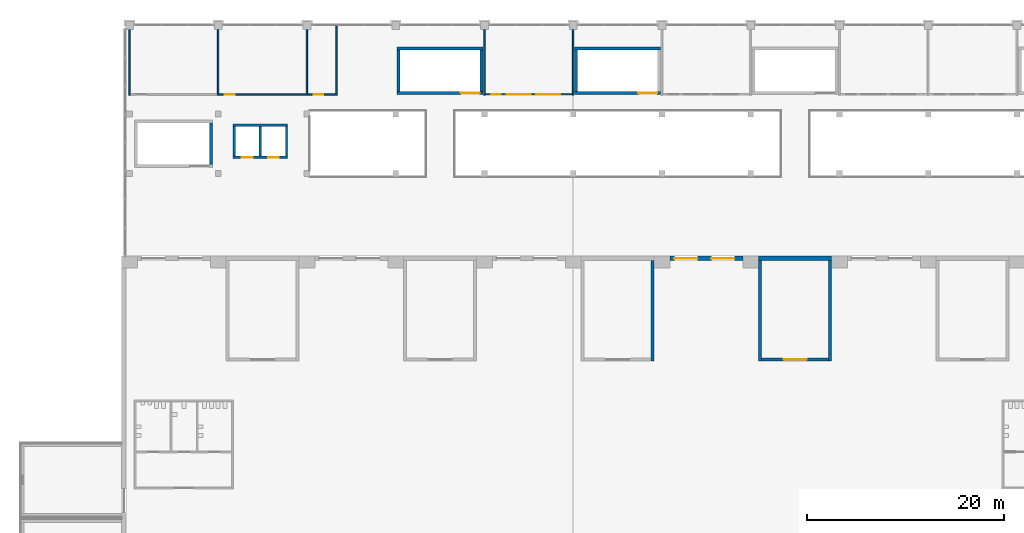
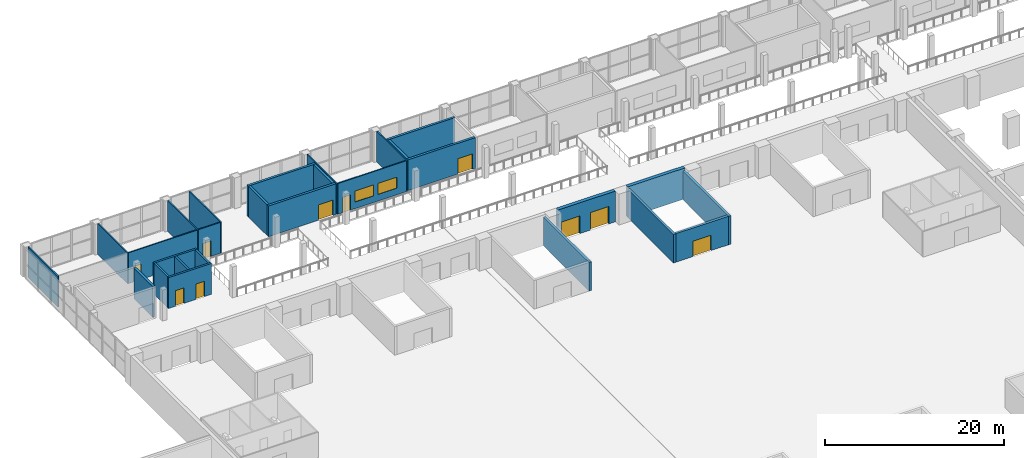
# One storey, part 18 of 39: 28 walls, 10 doors, 2 windows, 12 openings.
"""IFC4 building model written with IfcOpenShell, lengths in metres."""

from ifc_helpers import new_model, si_unit, direction, frame, frame_2d, origin, place, context, subcontext, project, spatial, rectangle, extrude, material, layer, layer_set, type_object, element, fill, save


model = new_model("IFC4")

# Units and contexts
model_context = context("Model", 3, precision=1e-05, world=origin(), true_north=direction((0.0, 1.0)))
body_context = subcontext(model_context, "Body", "Model", "MODEL_VIEW")
ifc_project = project(units=[si_unit("LENGTHUNIT", "METRE"), si_unit("AREAUNIT", "SQUARE_METRE"), si_unit("VOLUMEUNIT", "CUBIC_METRE"), si_unit("PLANEANGLEUNIT", "RADIAN"), si_unit("MASSUNIT", "GRAM", prefix="KILO")], contexts=[model_context])

# Site, building, storey
site_placement = place(None, origin())
site = spatial("IfcSite", under=ifc_project, at=site_placement, CompositionType="ELEMENT")
building_placement = place(site_placement, origin())
building = spatial("IfcBuilding", under=site, at=building_placement, Name="Aravalli Gate Trade Fair Centre", CompositionType="ELEMENT")
storey_placement = place(building_placement, frame((0.0, 0.0, 15.0)))
storey = spatial("IfcBuildingStorey", under=building, at=storey_placement, Name="L03", CompositionType="ELEMENT", Elevation=15.0)

# Wall, openings, doors
ifc_material_1 = material(Name="Concrete M40", Category="concrete")
ifc_layer_1 = layer(ifc_material_1, 0.25, Name="Structural wall")
ifc_material_2 = material(Name="Ventilated air cavity")
ifc_layer_2 = layer(ifc_material_2, 0.10009765625, ventilated=True, Name="Ventilated cavity")
ifc_material_3 = material(Name="Terracotta rainscreen", Category="masonry")
ifc_layer_3 = layer(ifc_material_3, 0.10009765625, Name="Rainscreen cladding")
ifc_layer_set_1 = layer_set([ifc_layer_1, ifc_layer_2, ifc_layer_3], Name="Hall external wall 450")
wall_type_1 = type_object("IfcWallType", Name="Hall external wall 450", PredefinedType="SOLIDWALL", material=ifc_layer_set_1)
wall_1_placement = place(storey_placement, frame((60.800048828125, 109.375, 0.0), z_axis=(0.0, 0.0, 1.0), x_axis=(1.0, 0.0, 0.0)))
wall_1 = element("IfcWall", 1, at=wall_1_placement, inside=storey, type_object=wall_type_1, Name="Hall north wall bay 7 L03", PredefinedType="SOLIDWALL", context=body_context, shape_type="SweptSolid", body=[
    extrude(rectangle(XDim=7.39990234375, YDim=0.449951171875, at=frame_2d((3.699951171875, 0.0))), origin(), (0.0, 0.0, 1.0), 4.199951171875),
])
opening_1_placement = place(wall_1_placement, frame((0.449951171875, 0.0, 0.0)))
opening_1 = element("IfcOpeningElement", 2, at=opening_1_placement, cuts=wall_1, Name="Opening H-L03-11", PredefinedType="OPENING", context=body_context, shape_type="SweptSolid", body=[
    extrude(rectangle(XDim=2.35009765625, YDim=2.39990234375, at=frame_2d((1.175048828125, 1.199951171875))), frame((0.0, 0.23486328125, 0.0), z_axis=(0.0, -1.0, 0.0), x_axis=(1.0, 0.0, 0.0)), (0.0, 0.0, 1.0), 0.469970703125),
])
opening_2_placement = place(wall_1_placement, frame((4.199951171875, 0.0, 0.0)))
opening_2 = element("IfcOpeningElement", 3, at=opening_2_placement, cuts=wall_1, Name="Opening H-L03-12", PredefinedType="OPENING", context=body_context, shape_type="SweptSolid", body=[
    extrude(rectangle(XDim=2.35009765625, YDim=2.39990234375, at=frame_2d((1.175048828125, 1.199951171875))), frame((0.0, 0.23486328125, 0.0), z_axis=(0.0, -1.0, 0.0), x_axis=(1.0, 0.0, 0.0)), (0.0, 0.0, 1.0), 0.469970703125),
])
ifc_material_4 = material(Name="Steel", Category="steel")
door_type_1 = type_object("IfcDoorType", Name="Hall entrance double door FD120", OperationType="DOUBLE_DOOR_SINGLE_SWING", PredefinedType="DOOR", material=ifc_material_4)
door_1_placement = place(opening_1_placement, origin())
door_1 = element("IfcDoor", 4, at=door_1_placement, inside=storey, type_object=door_type_1, Name="Hall entrance door bay 7 L03 1", OperationType="DOUBLE_DOOR_SINGLE_SWING", OverallHeight=2.39990234375, OverallWidth=2.35009765625, PredefinedType="DOOR", context=body_context, shape_type="SweptSolid", body=[
    extrude(rectangle(XDim=2.35009765625, YDim=2.39990234375, at=frame_2d((1.175048828125, 1.199951171875))), frame((0.0, 0.02490234375, 0.0), z_axis=(0.0, -1.0, 0.0), x_axis=(1.0, 0.0, 0.0)), (0.0, 0.0, 1.0), 0.050048828125),
])
fill(opening_1, door_1)
door_2_placement = place(opening_2_placement, origin())
door_2 = element("IfcDoor", 5, at=door_2_placement, inside=storey, type_object=door_type_1, Name="Hall entrance door bay 7 L03 2", OperationType="DOUBLE_DOOR_SINGLE_SWING", OverallHeight=2.39990234375, OverallWidth=2.35009765625, PredefinedType="DOOR", context=body_context, shape_type="SweptSolid", body=[
    extrude(rectangle(XDim=2.35009765625, YDim=2.39990234375, at=frame_2d((1.175048828125, 1.199951171875))), frame((0.0, 0.02490234375, 0.0), z_axis=(0.0, -1.0, 0.0), x_axis=(1.0, 0.0, 0.0)), (0.0, 0.0, 1.0), 0.050048828125),
])
fill(opening_2, door_2)

# Walls
wall_2_placement = place(storey_placement, frame((69.800048828125, 109.375, 0.0), z_axis=(0.0, 0.0, 1.0), x_axis=(1.0, 0.0, 0.0)))
element("IfcWall", 6, at=wall_2_placement, inside=storey, type_object=wall_type_1, Name="Hall north wall bay 8 L03", PredefinedType="SOLIDWALL", context=body_context, shape_type="SweptSolid", body=[
    extrude(rectangle(XDim=7.39990234375, YDim=0.449951171875, at=frame_2d((3.699951171875, 0.0))), origin(), (0.0, 0.0, 1.0), 4.199951171875),
])
ifc_material_5 = material(Name="Gypsum board")
ifc_layer_4 = layer(ifc_material_5, 0.02490234375, Name="Gypsum board lining")
ifc_material_6 = material(Name="Galvanised stud framing")
ifc_layer_5 = layer(ifc_material_6, 0.10009765625, Name="Stud framing")
ifc_layer_6 = layer(ifc_material_5, 0.02490234375, Name="Gypsum board lining")
ifc_layer_set_2 = layer_set([ifc_layer_4, ifc_layer_5, ifc_layer_6], Name="Partition wall 150")
wall_type_2 = type_object("IfcWallType", Name="Partition wall 150", PredefinedType="PARTITIONING", material=ifc_layer_set_2)
for number, where, z_axis, x_axis, name in (
    (7, (6.0, 125.925048828125, 0.0), (0.0, 0.0, 1.0), (0.0, 1.0, 0.0), "Partition 600 L03"),
    (8, (15.0, 125.925048828125, 0.0), (0.0, 0.0, 1.0), (0.0, 1.0, 0.0), "Partition 1500 L03"),
):
    element("IfcWall", number, at=place(storey_placement, frame(where, z_axis=z_axis, x_axis=x_axis)), inside=storey, type_object=wall_type_2, Name=name, PredefinedType="PARTITIONING", context=body_context, shape_type="SweptSolid", body=[
        extrude(rectangle(XDim=6.675048828125, YDim=0.14990234375, at=frame_2d((3.33740234375, 0.0))), origin(), (0.0, 0.0, 1.0), 4.199951171875),
    ])

# Wall, opening, door
wall_3_placement = place(storey_placement, frame((15.074951171875, 126.0, 0.0), z_axis=(0.0, 0.0, 1.0), x_axis=(1.0, 0.0, 0.0)))
wall_3 = element("IfcWall", 9, at=wall_3_placement, inside=storey, type_object=wall_type_2, Name="Partition Ladies WC south L03", PredefinedType="PARTITIONING", context=body_context, shape_type="SweptSolid", body=[
    extrude(rectangle(XDim=8.85009765625, YDim=0.14990234375, at=frame_2d((4.425048828125, 0.0))), origin(), (0.0, 0.0, 1.0), 4.199951171875),
])
opening_3_placement = place(wall_3_placement, frame((0.60009765625, 0.0, 0.0)))
opening_3 = element("IfcOpeningElement", 10, at=opening_3_placement, cuts=wall_3, Name="Opening C-L03-13", PredefinedType="OPENING", context=body_context, shape_type="SweptSolid", body=[
    extrude(rectangle(XDim=1.0, YDim=2.10009765625, at=frame_2d((0.5, 1.050048828125))), frame((0.0, 0.0849609375, 0.0), z_axis=(0.0, -1.0, 0.0), x_axis=(1.0, 0.0, 0.0)), (0.0, 0.0, 1.0), 0.169921875),
])
ifc_material_7 = material(Name="Steel, fire rated", Category="steel")
door_type_2 = type_object("IfcDoorType", Name="Room door 1000 x 2100", OperationType="SINGLE_SWING_RIGHT", PredefinedType="NOTDEFINED", material=ifc_material_7)
door_3_placement = place(opening_3_placement, frame((1.0, 0.0, 0.0), z_axis=(0.0, 0.0, 1.0), x_axis=(-1.0, 0.0, 0.0)))
door_3 = element("IfcDoor", 11, at=door_3_placement, inside=storey, type_object=door_type_2, Name="Door Ladies WC L03", OperationType="SINGLE_SWING_RIGHT", OverallHeight=2.10009765625, OverallWidth=1.0, PredefinedType="NOTDEFINED", context=body_context, shape_type="SweptSolid", body=[
    extrude(rectangle(XDim=1.0, YDim=2.10009765625, at=frame_2d((0.5, 1.050048828125))), frame((0.0, 0.02490234375, 0.0), z_axis=(0.0, -1.0, 0.0), x_axis=(1.0, 0.0, 0.0)), (0.0, 0.0, 1.0), 0.050048828125),
])
fill(opening_3, door_3)

# Wall
wall_4_placement = place(storey_placement, frame((24.0, 125.925048828125, 0.0), z_axis=(0.0, 0.0, 1.0), x_axis=(0.0, 1.0, 0.0)))
element("IfcWall", 12, at=wall_4_placement, inside=storey, type_object=wall_type_2, Name="Partition 2400 L03", PredefinedType="PARTITIONING", context=body_context, shape_type="SweptSolid", body=[
    extrude(rectangle(XDim=6.675048828125, YDim=0.14990234375, at=frame_2d((3.33740234375, 0.0))), origin(), (0.0, 0.0, 1.0), 4.199951171875),
])

# Wall, opening, door
wall_5_placement = place(storey_placement, frame((24.074951171875, 126.0, 0.0), z_axis=(0.0, 0.0, 1.0), x_axis=(1.0, 0.0, 0.0)))
wall_5 = element("IfcWall", 13, at=wall_5_placement, inside=storey, type_object=wall_type_2, Name="Partition Accessible WC south L03", PredefinedType="PARTITIONING", context=body_context, shape_type="SweptSolid", body=[
    extrude(rectangle(XDim=2.85009765625, YDim=0.14990234375, at=frame_2d((1.425048828125, 0.0))), origin(), (0.0, 0.0, 1.0), 4.199951171875),
])
opening_4_placement = place(wall_5_placement, frame((0.60009765625, 0.0, 0.0)))
opening_4 = element("IfcOpeningElement", 14, at=opening_4_placement, cuts=wall_5, Name="Opening C-L03-14", PredefinedType="OPENING", context=body_context, shape_type="SweptSolid", body=[
    extrude(rectangle(XDim=1.0, YDim=2.10009765625, at=frame_2d((0.5, 1.050048828125))), frame((0.0, 0.0849609375, 0.0), z_axis=(0.0, -1.0, 0.0), x_axis=(1.0, 0.0, 0.0)), (0.0, 0.0, 1.0), 0.169921875),
])
door_4_placement = place(opening_4_placement, origin())
door_4 = element("IfcDoor", 15, at=door_4_placement, inside=storey, type_object=door_type_2, Name="Door Accessible WC L03", OperationType="SINGLE_SWING_LEFT", OverallHeight=2.10009765625, OverallWidth=1.0, PredefinedType="NOTDEFINED", context=body_context, shape_type="SweptSolid", body=[
    extrude(rectangle(XDim=1.0, YDim=2.10009765625, at=frame_2d((0.5, 1.050048828125))), frame((0.0, 0.02490234375, 0.0), z_axis=(0.0, -1.0, 0.0), x_axis=(1.0, 0.0, 0.0)), (0.0, 0.0, 1.0), 0.050048828125),
])
fill(opening_4, door_4)

# Wall
wall_6_placement = place(storey_placement, frame((27.0, 125.925048828125, 0.0), z_axis=(0.0, 0.0, 1.0), x_axis=(0.0, 1.0, 0.0)))
element("IfcWall", 16, at=wall_6_placement, inside=storey, type_object=wall_type_2, Name="Partition 2700 L03", PredefinedType="PARTITIONING", context=body_context, shape_type="SweptSolid", body=[
    extrude(rectangle(XDim=6.994873046875, YDim=0.14990234375, at=frame_2d((3.49755859375, 0.0))), origin(), (0.0, 0.0, 1.0), 4.199951171875),
])

# Wall, openings, windows, door
wall_7_placement = place(storey_placement, frame((42.074951171875, 126.0, 0.0), z_axis=(0.0, 0.0, 1.0), x_axis=(1.0, 0.0, 0.0)))
wall_7 = element("IfcWall", 17, at=wall_7_placement, inside=storey, type_object=wall_type_2, Name="Partition Meeting Room 1 south L03", PredefinedType="PARTITIONING", context=body_context, shape_type="SweptSolid", body=[
    extrude(rectangle(XDim=8.85009765625, YDim=0.14990234375, at=frame_2d((4.425048828125, 0.0))), origin(), (0.0, 0.0, 1.0), 4.199951171875),
])
opening_5_placement = place(wall_7_placement, frame((0.60009765625, 0.0, 0.0)))
opening_5 = element("IfcOpeningElement", 18, at=opening_5_placement, cuts=wall_7, Name="Opening C-L03-15", PredefinedType="OPENING", context=body_context, shape_type="SweptSolid", body=[
    extrude(rectangle(XDim=1.0, YDim=2.10009765625, at=frame_2d((0.5, 1.050048828125))), frame((0.0, 0.0849609375, 0.0), z_axis=(0.0, -1.0, 0.0), x_axis=(1.0, 0.0, 0.0)), (0.0, 0.0, 1.0), 0.169921875),
])
opening_6_placement = place(wall_7_placement, frame((2.199951171875, 0.0, 0.89990234375)))
opening_6 = element("IfcOpeningElement", 19, at=opening_6_placement, cuts=wall_7, Name="Opening WI1", PredefinedType="OPENING", context=body_context, shape_type="SweptSolid", body=[
    extrude(rectangle(XDim=2.39990234375, YDim=1.5, at=frame_2d((1.199951171875, 0.75))), frame((0.0, 0.0849609375, 0.0), z_axis=(0.0, -1.0, 0.0), x_axis=(1.0, 0.0, 0.0)), (0.0, 0.0, 1.0), 0.169921875),
])
opening_7_placement = place(wall_7_placement, frame((5.199951171875, 0.0, 0.89990234375)))
opening_7 = element("IfcOpeningElement", 20, at=opening_7_placement, cuts=wall_7, Name="Opening WI1", PredefinedType="OPENING", context=body_context, shape_type="SweptSolid", body=[
    extrude(rectangle(XDim=2.39990234375, YDim=1.5, at=frame_2d((1.199951171875, 0.75))), frame((0.0, 0.0849609375, 0.0), z_axis=(0.0, -1.0, 0.0), x_axis=(1.0, 0.0, 0.0)), (0.0, 0.0, 1.0), 0.169921875),
])
ifc_material_8 = material(Name="Glass, fire rated", Category="glass")
window_type = type_object("IfcWindowType", Name="Interior glazed screen 2400 x 1500", PartitioningType="SINGLE_PANEL", PredefinedType="WINDOW", material=ifc_material_8)
window_1_placement = place(opening_6_placement, origin())
window_1 = element("IfcWindow", 21, at=window_1_placement, inside=storey, type_object=window_type, Name="Interior window Meeting Room 1 1 L03", OverallHeight=1.5, OverallWidth=2.39990234375, PartitioningType="SINGLE_PANEL", PredefinedType="WINDOW", context=body_context, shape_type="SweptSolid", body=[
    extrude(rectangle(XDim=2.39990234375, YDim=1.5, at=frame_2d((1.199951171875, 0.75))), frame((0.0, 0.030029296875, 0.0), z_axis=(0.0, -1.0, 0.0), x_axis=(1.0, 0.0, 0.0)), (0.0, 0.0, 1.0), 0.06005859375),
])
fill(opening_6, window_1)
window_2_placement = place(opening_7_placement, origin())
window_2 = element("IfcWindow", 22, at=window_2_placement, inside=storey, type_object=window_type, Name="Interior window Meeting Room 1 2 L03", OverallHeight=1.5, OverallWidth=2.39990234375, PartitioningType="SINGLE_PANEL", PredefinedType="WINDOW", context=body_context, shape_type="SweptSolid", body=[
    extrude(rectangle(XDim=2.39990234375, YDim=1.5, at=frame_2d((1.199951171875, 0.75))), frame((0.0, 0.030029296875, 0.0), z_axis=(0.0, -1.0, 0.0), x_axis=(1.0, 0.0, 0.0)), (0.0, 0.0, 1.0), 0.06005859375),
])
fill(opening_7, window_2)
door_5_placement = place(opening_5_placement, origin())
door_5 = element("IfcDoor", 23, at=door_5_placement, inside=storey, type_object=door_type_2, Name="Door Meeting Room 1 L03", OperationType="SINGLE_SWING_LEFT", OverallHeight=2.10009765625, OverallWidth=1.0, PredefinedType="NOTDEFINED", context=body_context, shape_type="SweptSolid", body=[
    extrude(rectangle(XDim=1.0, YDim=2.10009765625, at=frame_2d((0.5, 1.050048828125))), frame((0.0, 0.02490234375, 0.0), z_axis=(0.0, -1.0, 0.0), x_axis=(1.0, 0.0, 0.0)), (0.0, 0.0, 1.0), 0.050048828125),
])
fill(opening_5, door_5)

# Walls
for number, where, z_axis, x_axis, name in (
    (24, (42.0, 125.925048828125, 0.0), (0.0, 0.0, 1.0), (0.0, 1.0, 0.0), "Partition 4200 L03"),
    (25, (51.0, 125.925048828125, 0.0), (0.0, 0.0, 1.0), (0.0, 1.0, 0.0), "Partition 5100 L03"),
):
    element("IfcWall", number, at=place(storey_placement, frame(where, z_axis=z_axis, x_axis=x_axis)), inside=storey, type_object=wall_type_2, Name=name, PredefinedType="PARTITIONING", context=body_context, shape_type="SweptSolid", body=[
        extrude(rectangle(XDim=6.675048828125, YDim=0.14990234375, at=frame_2d((3.33740234375, 0.0))), origin(), (0.0, 0.0, 1.0), 4.199951171875),
    ])

# Wall, openings, doors
ifc_layer_7 = layer(ifc_material_1, 0.25)
ifc_layer_set_3 = layer_set([ifc_layer_7], Name="Concrete M40")
wall_type_3 = type_object("IfcWallType", Name="RC core wall 250", PredefinedType="SHEAR", material=ifc_layer_set_3)
wall_8_placement = place(storey_placement, frame((16.5, 119.625, 0.0), z_axis=(0.0, 0.0, 1.0), x_axis=(1.0, 0.0, 0.0)))
wall_8 = element("IfcWall", 26, at=wall_8_placement, inside=storey, type_object=wall_type_3, Name="Core wall WLS L03", PredefinedType="SHEAR", context=body_context, shape_type="SweptSolid", body=[
    extrude(rectangle(XDim=5.550048828125, YDim=0.25, at=frame_2d((2.77490234375, 0.0))), origin(), (0.0, 0.0, 1.0), 4.199951171875),
])
opening_8_placement = place(wall_8_placement, frame((0.89990234375, 0.0, 0.0)))
opening_8 = element("IfcOpeningElement", 27, at=opening_8_placement, cuts=wall_8, Name="Opening C-L03-02", PredefinedType="OPENING", context=body_context, shape_type="SweptSolid", body=[
    extrude(rectangle(XDim=1.10009765625, YDim=2.10009765625, at=frame_2d((0.550048828125, 1.050048828125))), frame((0.0, 0.135009765625, 0.0), z_axis=(0.0, -1.0, 0.0), x_axis=(1.0, 0.0, 0.0)), (0.0, 0.0, 1.0), 0.27001953125),
])
opening_9_placement = place(wall_8_placement, frame((3.550048828125, 0.0, 0.0)))
opening_9 = element("IfcOpeningElement", 28, at=opening_9_placement, cuts=wall_8, Name="Opening C-L03-03", PredefinedType="OPENING", context=body_context, shape_type="SweptSolid", body=[
    extrude(rectangle(XDim=1.10009765625, YDim=2.10009765625, at=frame_2d((0.550048828125, 1.050048828125))), frame((0.0, 0.135009765625, 0.0), z_axis=(0.0, -1.0, 0.0), x_axis=(1.0, 0.0, 0.0)), (0.0, 0.0, 1.0), 0.27001953125),
])
door_type_3 = type_object("IfcDoorType", Name="Concourse lift landing door 1100 x 2100", OperationType="DOUBLE_DOOR_SLIDING", PredefinedType="NOTDEFINED", material=ifc_material_7)
door_6_placement = place(opening_8_placement, origin())
door_6 = element("IfcDoor", 29, at=door_6_placement, inside=storey, type_object=door_type_3, Name="Lift landing door WL1 L03", OperationType="DOUBLE_DOOR_SLIDING", OverallHeight=2.10009765625, OverallWidth=1.10009765625, PredefinedType="NOTDEFINED", context=body_context, shape_type="SweptSolid", body=[
    extrude(rectangle(XDim=1.10009765625, YDim=2.10009765625, at=frame_2d((0.550048828125, 1.050048828125))), frame((0.0, 0.02490234375, 0.0), z_axis=(0.0, -1.0, 0.0), x_axis=(1.0, 0.0, 0.0)), (0.0, 0.0, 1.0), 0.050048828125),
])
fill(opening_8, door_6)
door_7_placement = place(opening_9_placement, origin())
door_7 = element("IfcDoor", 30, at=door_7_placement, inside=storey, type_object=door_type_3, Name="Lift landing door WL2 L03", OperationType="DOUBLE_DOOR_SLIDING", OverallHeight=2.10009765625, OverallWidth=1.10009765625, PredefinedType="NOTDEFINED", context=body_context, shape_type="SweptSolid", body=[
    extrude(rectangle(XDim=1.10009765625, YDim=2.10009765625, at=frame_2d((0.550048828125, 1.050048828125))), frame((0.0, 0.02490234375, 0.0), z_axis=(0.0, -1.0, 0.0), x_axis=(1.0, 0.0, 0.0)), (0.0, 0.0, 1.0), 0.050048828125),
])
fill(opening_9, door_7)

# Walls
wall_9_placement = place(storey_placement, frame((16.5, 122.875, 0.0), z_axis=(0.0, 0.0, 1.0), x_axis=(1.0, 0.0, 0.0)))
element("IfcWall", 31, at=wall_9_placement, inside=storey, type_object=wall_type_3, Name="Core wall WLN L03", PredefinedType="SHEAR", context=body_context, shape_type="SweptSolid", body=[
    extrude(rectangle(XDim=5.550048828125, YDim=0.25, at=frame_2d((2.77490234375, 0.0))), origin(), (0.0, 0.0, 1.0), 4.199951171875),
])
for number, where, z_axis, x_axis, name in (
    (32, (16.625, 119.75, 0.0), (0.0, 0.0, 1.0), (0.0, 1.0, 0.0), "Core wall WLW L03"),
    (33, (21.925048828125, 119.75, 0.0), (0.0, 0.0, 1.0), (0.0, 1.0, 0.0), "Core wall WLE L03"),
    (34, (19.27490234375, 119.75, 0.0), (0.0, 0.0, 1.0), (0.0, 1.0, 0.0), "Core wall WLM L03"),
):
    element("IfcWall", number, at=place(storey_placement, frame(where, z_axis=z_axis, x_axis=x_axis)), inside=storey, type_object=wall_type_3, Name=name, PredefinedType="SHEAR", context=body_context, shape_type="SweptSolid", body=[
        extrude(rectangle(XDim=3.0, YDim=0.25, at=frame_2d((1.5, 0.0))), origin(), (0.0, 0.0, 1.0), 4.199951171875),
    ])
ifc_layer_8 = layer(ifc_material_1, 0.300048828125)
ifc_layer_set_4 = layer_set([ifc_layer_8], Name="Concrete M40")
wall_type_4 = type_object("IfcWallType", Name="RC core wall 300", PredefinedType="SHEAR", material=ifc_layer_set_4)
wall_10_placement = place(storey_placement, frame((14.25, 118.89990234375, 0.0), z_axis=(0.0, 0.0, 1.0), x_axis=(0.0, 1.0, 0.0)))
element("IfcWall", 35, at=wall_10_placement, inside=storey, type_object=wall_type_4, Name="Core wall WSE L03", PredefinedType="SHEAR", context=body_context, shape_type="SweptSolid", body=[
    extrude(rectangle(XDim=4.2001953125, YDim=0.300048828125, at=frame_2d((2.10009765625, 0.0))), origin(), (0.0, 0.0, 1.0), 4.199951171875),
])

# Wall, opening, door
wall_11_placement = place(storey_placement, frame((33.14990234375, 126.14990234375, 0.0), z_axis=(0.0, 0.0, 1.0), x_axis=(1.0, 0.0, 0.0)))
wall_11 = element("IfcWall", 36, at=wall_11_placement, inside=storey, type_object=wall_type_4, Name="Core wall XAS L03", PredefinedType="SHEAR", context=body_context, shape_type="SweptSolid", body=[
    extrude(rectangle(XDim=8.7001953125, YDim=0.300048828125, at=frame_2d((4.35009765625, 0.0))), origin(), (0.0, 0.0, 1.0), 4.199951171875),
])
opening_10_placement = place(wall_11_placement, frame((6.449951171875, 0.0, 0.0)))
opening_10 = element("IfcOpeningElement", 37, at=opening_10_placement, cuts=wall_11, Name="Opening C-L03-07", PredefinedType="OPENING", context=body_context, shape_type="SweptSolid", body=[
    extrude(rectangle(XDim=1.89990234375, YDim=2.10009765625, at=frame_2d((0.949951171875, 1.050048828125))), frame((0.0, 0.159912109375, 0.0), z_axis=(0.0, -1.0, 0.0), x_axis=(1.0, 0.0, 0.0)), (0.0, 0.0, 1.0), 0.320068359375),
])
door_type_4 = type_object("IfcDoorType", Name="Concourse stair door 1900 x 2100", OperationType="DOUBLE_DOOR_SINGLE_SWING", PredefinedType="NOTDEFINED", material=ifc_material_7)
door_8_placement = place(opening_10_placement, origin())
door_8 = element("IfcDoor", 38, at=door_8_placement, inside=storey, type_object=door_type_4, Name="Stair door XA L03", OperationType="DOUBLE_DOOR_SINGLE_SWING", OverallHeight=2.10009765625, OverallWidth=1.89990234375, PredefinedType="NOTDEFINED", context=body_context, shape_type="SweptSolid", body=[
    extrude(rectangle(XDim=1.89990234375, YDim=2.10009765625, at=frame_2d((0.949951171875, 1.050048828125))), frame((0.0, 0.02490234375, 0.0), z_axis=(0.0, -1.0, 0.0), x_axis=(1.0, 0.0, 0.0)), (0.0, 0.0, 1.0), 0.050048828125),
])
fill(opening_10, door_8)

# Walls
wall_12_placement = place(storey_placement, frame((33.14990234375, 130.64990234375, 0.0), z_axis=(0.0, 0.0, 1.0), x_axis=(1.0, 0.0, 0.0)))
element("IfcWall", 39, at=wall_12_placement, inside=storey, type_object=wall_type_4, Name="Core wall XAN L03", PredefinedType="SHEAR", context=body_context, shape_type="SweptSolid", body=[
    extrude(rectangle(XDim=8.7001953125, YDim=0.300048828125, at=frame_2d((4.35009765625, 0.0))), origin(), (0.0, 0.0, 1.0), 4.199951171875),
])
for number, where, z_axis, x_axis, name in (
    (40, (33.300048828125, 126.300048828125, 0.0), (0.0, 0.0, 1.0), (0.0, 1.0, 0.0), "Core wall XAW L03"),
    (41, (41.699951171875, 126.300048828125, 0.0), (0.0, 0.0, 1.0), (0.0, 1.0, 0.0), "Core wall XAE L03"),
):
    element("IfcWall", number, at=place(storey_placement, frame(where, z_axis=z_axis, x_axis=x_axis)), inside=storey, type_object=wall_type_4, Name=name, PredefinedType="SHEAR", context=body_context, shape_type="SweptSolid", body=[
        extrude(rectangle(XDim=4.199951171875, YDim=0.300048828125, at=frame_2d((2.10009765625, 0.0))), origin(), (0.0, 0.0, 1.0), 4.199951171875),
    ])

# Wall, opening, door
wall_13_placement = place(storey_placement, frame((51.14990234375, 126.14990234375, 0.0), z_axis=(0.0, 0.0, 1.0), x_axis=(1.0, 0.0, 0.0)))
wall_13 = element("IfcWall", 42, at=wall_13_placement, inside=storey, type_object=wall_type_4, Name="Core wall XBS L03", PredefinedType="SHEAR", context=body_context, shape_type="SweptSolid", body=[
    extrude(rectangle(XDim=8.7001953125, YDim=0.300048828125, at=frame_2d((4.35009765625, 0.0))), origin(), (0.0, 0.0, 1.0), 4.199951171875),
])
opening_11_placement = place(wall_13_placement, frame((6.449951171875, 0.0, 0.0)))
opening_11 = element("IfcOpeningElement", 43, at=opening_11_placement, cuts=wall_13, Name="Opening C-L03-08", PredefinedType="OPENING", context=body_context, shape_type="SweptSolid", body=[
    extrude(rectangle(XDim=1.89990234375, YDim=2.10009765625, at=frame_2d((0.949951171875, 1.050048828125))), frame((0.0, 0.159912109375, 0.0), z_axis=(0.0, -1.0, 0.0), x_axis=(1.0, 0.0, 0.0)), (0.0, 0.0, 1.0), 0.320068359375),
])
door_9_placement = place(opening_11_placement, origin())
door_9 = element("IfcDoor", 44, at=door_9_placement, inside=storey, type_object=door_type_4, Name="Stair door XB L03", OperationType="DOUBLE_DOOR_SINGLE_SWING", OverallHeight=2.10009765625, OverallWidth=1.89990234375, PredefinedType="NOTDEFINED", context=body_context, shape_type="SweptSolid", body=[
    extrude(rectangle(XDim=1.89990234375, YDim=2.10009765625, at=frame_2d((0.949951171875, 1.050048828125))), frame((0.0, 0.02490234375, 0.0), z_axis=(0.0, -1.0, 0.0), x_axis=(1.0, 0.0, 0.0)), (0.0, 0.0, 1.0), 0.050048828125),
])
fill(opening_11, door_9)

# Walls
wall_14_placement = place(storey_placement, frame((51.14990234375, 130.64990234375, 0.0), z_axis=(0.0, 0.0, 1.0), x_axis=(1.0, 0.0, 0.0)))
element("IfcWall", 45, at=wall_14_placement, inside=storey, type_object=wall_type_4, Name="Core wall XBN L03", PredefinedType="SHEAR", context=body_context, shape_type="SweptSolid", body=[
    extrude(rectangle(XDim=8.7001953125, YDim=0.300048828125, at=frame_2d((4.35009765625, 0.0))), origin(), (0.0, 0.0, 1.0), 4.199951171875),
])
wall_15_placement = place(storey_placement, frame((51.300048828125, 126.300048828125, 0.0), z_axis=(0.0, 0.0, 1.0), x_axis=(0.0, 1.0, 0.0)))
element("IfcWall", 46, at=wall_15_placement, inside=storey, type_object=wall_type_4, Name="Core wall XBW L03", PredefinedType="SHEAR", context=body_context, shape_type="SweptSolid", body=[
    extrude(rectangle(XDim=4.199951171875, YDim=0.300048828125, at=frame_2d((2.10009765625, 0.0))), origin(), (0.0, 0.0, 1.0), 4.199951171875),
])
ifc_layer_9 = layer(ifc_material_1, 0.300048828125)
ifc_layer_set_5 = layer_set([ifc_layer_9], Name="Concrete M40")
wall_type_5 = type_object("IfcWallType", Name="Stair tower wall RC 300", PredefinedType="SHEAR", material=ifc_layer_set_5)
for number, where, z_axis, x_axis, name in (
    (47, (59.050048828125, 109.14990234375, 0.0), (0.0, 0.0, 1.0), (0.0, -1.0, 0.0), "Stair tower N06 wall E L03"),
    (48, (69.949951171875, 109.14990234375, 0.0), (0.0, 0.0, 1.0), (0.0, -1.0, 0.0), "Stair tower N08 wall W L03"),
    (49, (77.050048828125, 109.14990234375, 0.0), (0.0, 0.0, 1.0), (0.0, -1.0, 0.0), "Stair tower N08 wall E L03"),
):
    element("IfcWall", number, at=place(storey_placement, frame(where, z_axis=z_axis, x_axis=x_axis)), inside=storey, type_object=wall_type_5, Name=name, PredefinedType="SHEAR", context=body_context, shape_type="SweptSolid", body=[
        extrude(rectangle(XDim=10.199951171875, YDim=0.300048828125, at=frame_2d((5.10009765625, 0.0))), origin(), (0.0, 0.0, 1.0), 3.89990234375),
    ])

# Wall, opening, door
wall_16_placement = place(storey_placement, frame((70.10009765625, 99.10009765625, 0.0), z_axis=(0.0, 0.0, 1.0), x_axis=(1.0, 0.0, 0.0)))
wall_16 = element("IfcWall", 50, at=wall_16_placement, inside=storey, type_object=wall_type_5, Name="Stair tower N08 wall F L03", PredefinedType="SHEAR", context=body_context, shape_type="SweptSolid", body=[
    extrude(rectangle(XDim=6.7998046875, YDim=0.300048828125, at=frame_2d((3.39990234375, 0.0))), origin(), (0.0, 0.0, 1.0), 3.89990234375),
])
opening_12_placement = place(wall_16_placement, frame((2.22509765625, 0.0, 0.0)))
opening_12 = element("IfcOpeningElement", 51, at=opening_12_placement, cuts=wall_16, Name="Opening H-L03-31", PredefinedType="OPENING", context=body_context, shape_type="SweptSolid", body=[
    extrude(rectangle(XDim=2.35009765625, YDim=2.10009765625, at=frame_2d((1.175048828125, 1.050048828125))), frame((0.0, 0.159912109375, 0.0), z_axis=(0.0, -1.0, 0.0), x_axis=(1.0, 0.0, 0.0)), (0.0, 0.0, 1.0), 0.320068359375),
])
door_type_5 = type_object("IfcDoorType", Name="Stair lobby double door FD120", OperationType="DOUBLE_DOOR_SINGLE_SWING", PredefinedType="DOOR", material=ifc_material_4)
door_10_placement = place(opening_12_placement, origin())
door_10 = element("IfcDoor", 52, at=door_10_placement, inside=storey, type_object=door_type_5, Name="Exit door ST-N08 L03", OperationType="DOUBLE_DOOR_SINGLE_SWING", OverallHeight=2.10009765625, OverallWidth=2.35009765625, PredefinedType="DOOR", context=body_context, shape_type="SweptSolid", body=[
    extrude(rectangle(XDim=2.35009765625, YDim=2.10009765625, at=frame_2d((1.175048828125, 1.050048828125))), frame((0.0, 0.02490234375, 0.0), z_axis=(0.0, -1.0, 0.0), x_axis=(1.0, 0.0, 0.0)), (0.0, 0.0, 1.0), 0.050048828125),
])
fill(opening_12, door_10)

save(model, "model.ifc")
